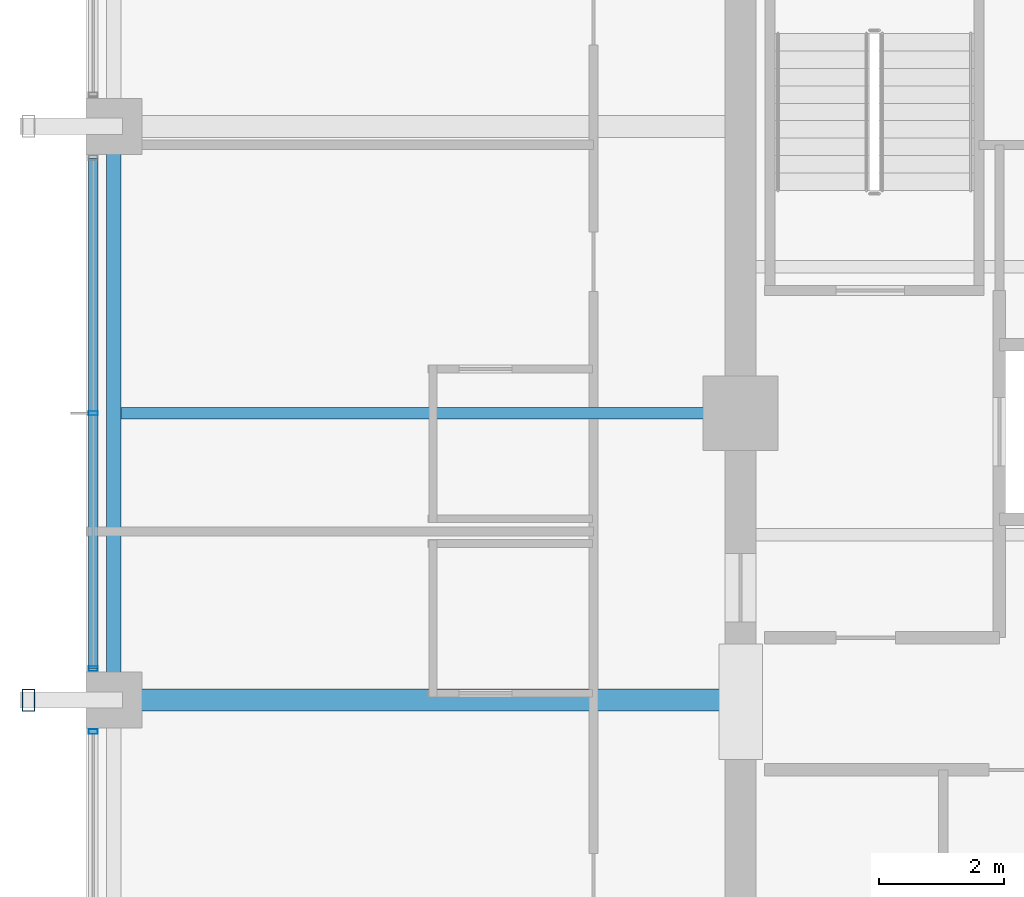
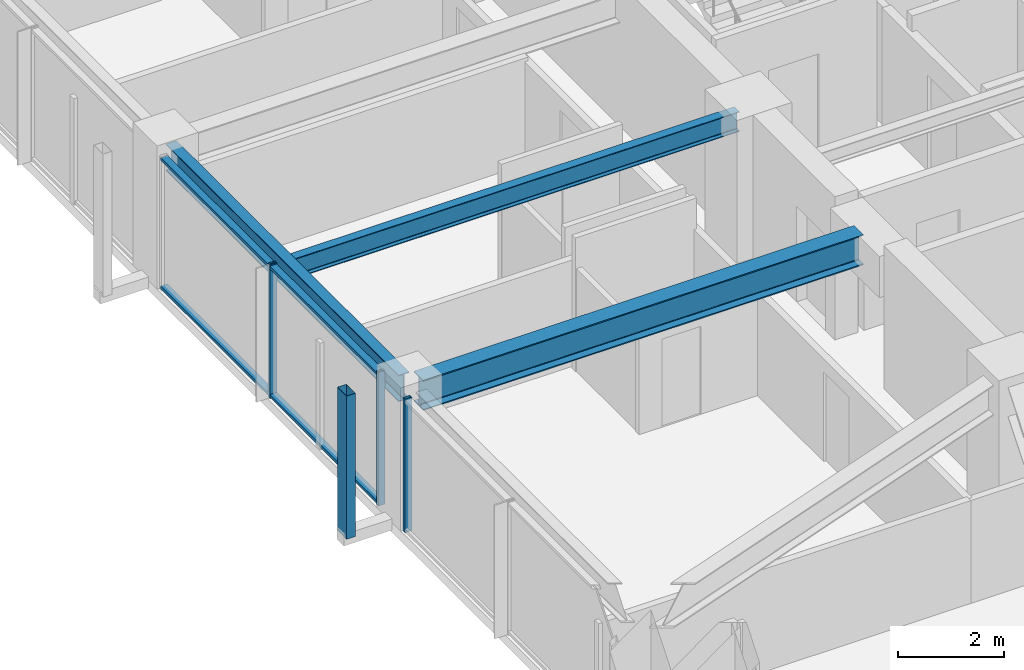
# One storey, part 8 of 37: 6 members, 3 beams, 2 elements without a shape of their own.
"""IFC4 building model written with IfcOpenShell, lengths in metres."""

from ifc_helpers import new_model, si_unit, direction, frame, origin, origin_2d, place, context, subcontext, project, spatial, hollow_rectangle, i_section, extrude, material, material_profile, profile_set, type_object, element, aggregate, save


model = new_model("IFC4")

# Units and contexts
model_context = context("Model", 3, precision=1e-05, world=origin(), true_north=direction((0.0, 1.0)))
body_context = subcontext(model_context, "Body", "Model", "MODEL_VIEW")
ifc_project = project(units=[si_unit("LENGTHUNIT", "METRE"), si_unit("AREAUNIT", "SQUARE_METRE"), si_unit("VOLUMEUNIT", "CUBIC_METRE"), si_unit("PLANEANGLEUNIT", "RADIAN"), si_unit("MASSUNIT", "GRAM", prefix="KILO")], contexts=[model_context])

# Site, building, storey
site_placement = place(None, origin())
site = spatial("IfcSite", under=ifc_project, at=site_placement, CompositionType="ELEMENT")
building_placement = place(site_placement, origin())
building = spatial("IfcBuilding", under=site, at=building_placement, Name="Kolvaren Belvedere", CompositionType="ELEMENT")
storey_placement = place(building_placement, frame((0.0, 0.0, 180.0)))
storey = spatial("IfcBuildingStorey", under=building, at=storey_placement, Name="L52", CompositionType="ELEMENT", Elevation=180.0)

# Beams
ifc_material_1 = material(Name="Structural steel ASTM A992 Grade 50", Category="steel")
ifc_material_profile_1 = material_profile(ifc_material_1, i_section(OverallWidth=0.35498046875, OverallDepth=0.696044921875, WebThickness=0.015380859375, FlangeThickness=0.02490234375, FilletRadius=0.02197265625, at=origin_2d()), Name="W27X146")
ifc_profile_set_1 = profile_set([ifc_material_profile_1], Name="Structural steel ASTM A992 Grade 50")
beam_type_1 = type_object("IfcBeamType", Name="BM-GIRD-W27X146", PredefinedType="BEAM", material=ifc_profile_set_1)
beam_1_placement = place(storey_placement, frame((-10.14990234375, -4.60009765625, 2.73193359375), z_axis=(-1.0, 0.0, 0.0), x_axis=(0.0, -1.0, 0.0)))
element("IfcBeam", 1, at=beam_1_placement, inside=storey, type_object=beam_type_1, Name="L52 West Radial Girder M", PredefinedType="BEAM", context=body_context, shape_type="SweptSolid", body=[
    extrude(i_section(OverallWidth=0.35498046875, OverallDepth=0.696044921875, WebThickness=0.015380859375, FlangeThickness=0.02490234375, FilletRadius=0.02197265625, at=origin_2d()), origin(), (0.0, 0.0, 1.0), 9.59765625),
])
ifc_material_2 = material(Name="Structural steel ASTM A992 Grade 50", Category="steel")
ifc_material_profile_2 = material_profile(ifc_material_2, i_section(OverallWidth=0.19091796875, OverallDepth=0.4599609375, WebThickness=0.010009765625, FlangeThickness=0.01611328125, FilletRadius=0.014892578125, at=origin_2d()), Name="W18X55")
ifc_profile_set_2 = profile_set([ifc_material_profile_2], Name="Structural steel ASTM A992 Grade 50")
beam_type_2 = type_object("IfcBeamType", Name="BM-JOIST-W18X55", PredefinedType="BEAM", material=ifc_profile_set_2)
beam_2_placement = place(storey_placement, frame((-10.14990234375, 0.0, 2.85009765625), z_axis=(-1.0, 0.0, 0.0), x_axis=(0.0, -1.0, 0.0)))
element("IfcBeam", 2, at=beam_2_placement, inside=storey, type_object=beam_type_2, Name="L52 West Centre Floor Beam", PredefinedType="BEAM", context=body_context, shape_type="SweptSolid", body=[
    extrude(i_section(OverallWidth=0.19091796875, OverallDepth=0.4599609375, WebThickness=0.010009765625, FlangeThickness=0.01611328125, FilletRadius=0.014892578125, at=origin_2d()), origin(), (0.0, 0.0, 1.0), 9.685546875),
])
ifc_material_3 = material(Name="Structural steel ASTM A992 Grade 50", Category="steel")
ifc_material_profile_3 = material_profile(ifc_material_3, i_section(OverallWidth=0.22900390625, OverallDepth=0.612060546875, WebThickness=0.011962890625, FlangeThickness=0.01953125, FilletRadius=0.01806640625, at=origin_2d()), Name="W24X84")
ifc_profile_set_3 = profile_set([ifc_material_profile_3], Name="Structural steel ASTM A992 Grade 50")
beam_type_3 = type_object("IfcBeamType", Name="BM-SPAN-W24X84", PredefinedType="SPANDREL", material=ifc_profile_set_3)
beam_3_placement = place(storey_placement, frame((-19.949951171875, 4.3974609375, 2.77392578125), z_axis=(0.0, -1.0, 0.0), x_axis=(1.0, 0.0, 0.0)))
element("IfcBeam", 3, at=beam_3_placement, inside=storey, type_object=beam_type_3, Name="L52 Perimeter Spandrel W3-W2", PredefinedType="SPANDREL", context=body_context, shape_type="SweptSolid", body=[
    extrude(i_section(OverallWidth=0.22900390625, OverallDepth=0.612060546875, WebThickness=0.011962890625, FlangeThickness=0.01953125, FilletRadius=0.01806640625, at=origin_2d()), origin(), (0.0, 0.0, 1.0), 8.794921875),
])

# Curtain wall, member
ifc_material_4 = material(Name="Anodised pale-metal aluminium AA 6063-T6", Category="aluminium")
curtain_wall_type = type_object("IfcCurtainWallType", Name="CW-Z5-HIGH", PredefinedType="NOTDEFINED", material=ifc_material_4)
curtain_wall_1_placement = place(storey_placement, origin())
curtain_wall_1 = element("IfcCurtainWall", 4, at=curtain_wall_1_placement, inside=storey, type_object=curtain_wall_type, Name="L52 Unitised Curtain Wall FCW-L52-W-B1", PredefinedType="NOTDEFINED")
ifc_material_5 = material(Name="Anodised pale-metal aluminium AA 6063-T6", Category="aluminium")
ifc_material_profile_4 = material_profile(ifc_material_5, hollow_rectangle(XDim=0.070068359375, YDim=0.14990234375, WallThickness=0.004150390625, at=origin_2d()), Name="ALU-MUL-150X70")
ifc_profile_set_4 = profile_set([ifc_material_profile_4], Name="Anodised pale-metal aluminium AA 6063-T6")
member_type_1 = type_object("IfcMemberType", Name="CW-MUL-150", PredefinedType="MULLION", material=ifc_profile_set_4)
member_1_placement = place(storey_placement, frame((-20.280029296875, -5.10498046875, 0.0), z_axis=(0.0, 0.0, 1.0), x_axis=(0.0, 1.0, 0.0)))
member_1 = element("IfcMember", 5, at=member_1_placement, type_object=member_type_1, Name="FCW-L52-W-B1 Unitised Mullion 3", PredefinedType="MULLION", context=body_context, shape_type="SweptSolid", body=[
    extrude(hollow_rectangle(XDim=0.070068359375, YDim=0.14990234375, WallThickness=0.004150390625, at=origin_2d()), origin(), (0.0, 0.0, 1.0), 3.080078125),
])
aggregate(curtain_wall_1, [member_1])

# Curtain wall, members
curtain_wall_2_placement = place(storey_placement, origin())
curtain_wall_2 = element("IfcCurtainWall", 6, at=curtain_wall_2_placement, inside=storey, type_object=curtain_wall_type, Name="L52 Unitised Curtain Wall FCW-L52-W-B2", PredefinedType="NOTDEFINED")
member_2_placement = place(storey_placement, frame((-20.280029296875, -4.094970703125, 0.0), z_axis=(0.0, 0.0, 1.0), x_axis=(0.0, 1.0, 0.0)))
member_2 = element("IfcMember", 7, at=member_2_placement, type_object=member_type_1, Name="FCW-L52-W-B2 Unitised Mullion 1", PredefinedType="MULLION", context=body_context, shape_type="SweptSolid", body=[
    extrude(hollow_rectangle(XDim=0.070068359375, YDim=0.14990234375, WallThickness=0.004150390625, at=origin_2d()), origin(), (0.0, 0.0, 1.0), 3.080078125),
])
member_3_placement = place(storey_placement, frame((-20.280029296875, 0.0, 0.0), z_axis=(0.0, 0.0, 1.0), x_axis=(0.0, 1.0, 0.0)))
member_3 = element("IfcMember", 8, at=member_3_placement, type_object=member_type_1, Name="FCW-L52-W-B2 Unitised Mullion 2", PredefinedType="MULLION", context=body_context, shape_type="SweptSolid", body=[
    extrude(hollow_rectangle(XDim=0.070068359375, YDim=0.14990234375, WallThickness=0.004150390625, at=origin_2d()), origin(), (0.0, 0.0, 1.0), 3.080078125),
])
ifc_material_6 = material(Name="Anodised pale-metal aluminium AA 6063-T6", Category="aluminium")
ifc_material_profile_5 = material_profile(ifc_material_6, hollow_rectangle(XDim=0.06494140625, YDim=0.14990234375, WallThickness=0.00390625, at=origin_2d()), Name="ALU-TRN-150X65")
ifc_profile_set_5 = profile_set([ifc_material_profile_5], Name="Anodised pale-metal aluminium AA 6063-T6")
member_type_2 = type_object("IfcMemberType", Name="CW-TRN-150", PredefinedType="USERDEFINED", material=ifc_profile_set_5)
member_4_placement = place(storey_placement, frame((-20.280029296875, -4.094970703125, 0.06005859375), z_axis=(0.0, 1.0, 0.0), x_axis=(0.0, 0.0, 1.0)))
member_4 = element("IfcMember", 9, at=member_4_placement, type_object=member_type_2, Name="FCW-L52-W-B2 Sill Transom", ObjectType="TRANSOM", PredefinedType="USERDEFINED", context=body_context, shape_type="SweptSolid", body=[
    extrude(hollow_rectangle(XDim=0.06494140625, YDim=0.14990234375, WallThickness=0.00390625, at=origin_2d()), origin(), (0.0, 0.0, 1.0), 8.18994140625),
])
member_5_placement = place(storey_placement, frame((-20.280029296875, -4.094970703125, 3.02001953125), z_axis=(0.0, 1.0, 0.0), x_axis=(0.0, 0.0, 1.0)))
member_5 = element("IfcMember", 10, at=member_5_placement, type_object=member_type_2, Name="FCW-L52-W-B2 Head Transom", ObjectType="TRANSOM", PredefinedType="USERDEFINED", context=body_context, shape_type="SweptSolid", body=[
    extrude(hollow_rectangle(XDim=0.06494140625, YDim=0.14990234375, WallThickness=0.00390625, at=origin_2d()), origin(), (0.0, 0.0, 1.0), 8.18994140625),
])
aggregate(curtain_wall_2, [member_2, member_3, member_4, member_5])

# Member
ifc_material_7 = material(Name="Anodised pale-metal aluminium AA 6063-T6", Category="aluminium")
ifc_material_profile_6 = material_profile(ifc_material_7, hollow_rectangle(XDim=0.199951171875, YDim=0.35009765625, WallThickness=0.007568359375, at=origin_2d()), Name="ALU-PF-350X200")
ifc_profile_set_6 = profile_set([ifc_material_profile_6], Name="Anodised pale-metal aluminium AA 6063-T6")
member_type_3 = type_object("IfcMemberType", Name="PF-FRAME-350", PredefinedType="USERDEFINED", material=ifc_profile_set_6)
member_6_placement = place(storey_placement, frame((-21.320068359375, -4.60009765625, 0.0), z_axis=(0.0, 0.0, 1.0), x_axis=(1.0, 0.0, 0.0)))
element("IfcMember", 11, at=member_6_placement, inside=storey, type_object=member_type_3, Name="L52 Outboard Picture-Frame Vertical W1", ObjectType="PICTURE FRAME FIN", PredefinedType="USERDEFINED", context=body_context, shape_type="SweptSolid", body=[
    extrude(hollow_rectangle(XDim=0.199951171875, YDim=0.35009765625, WallThickness=0.007568359375, at=origin_2d()), origin(), (0.0, 0.0, 1.0), 3.300048828125),
])

save(model, "model.ifc")
